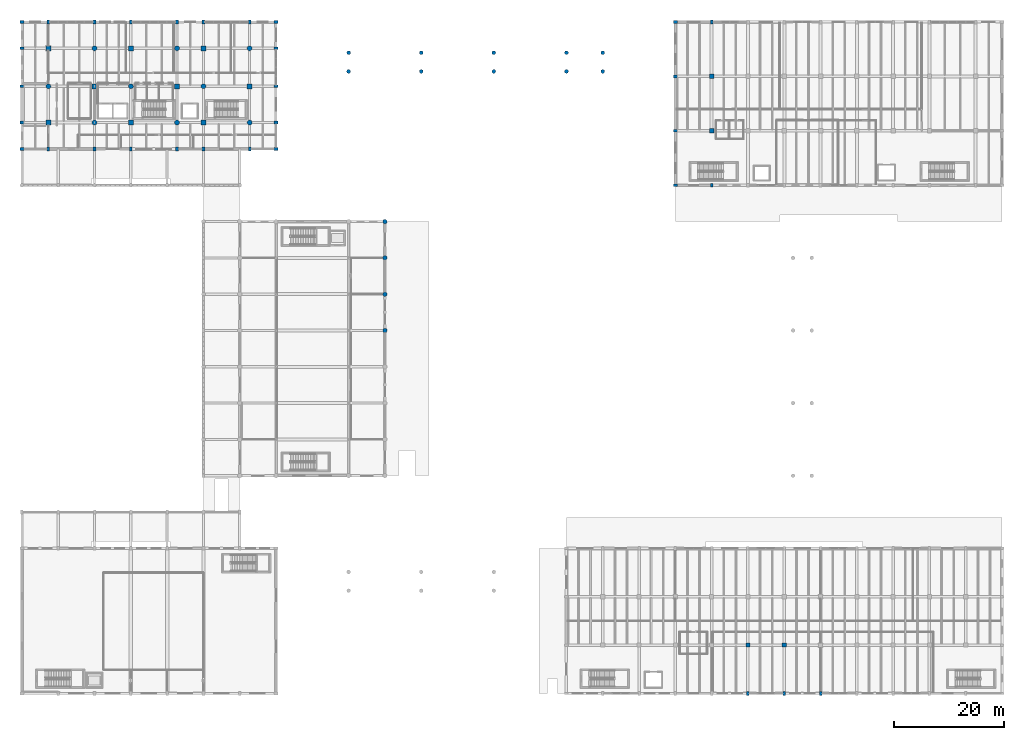
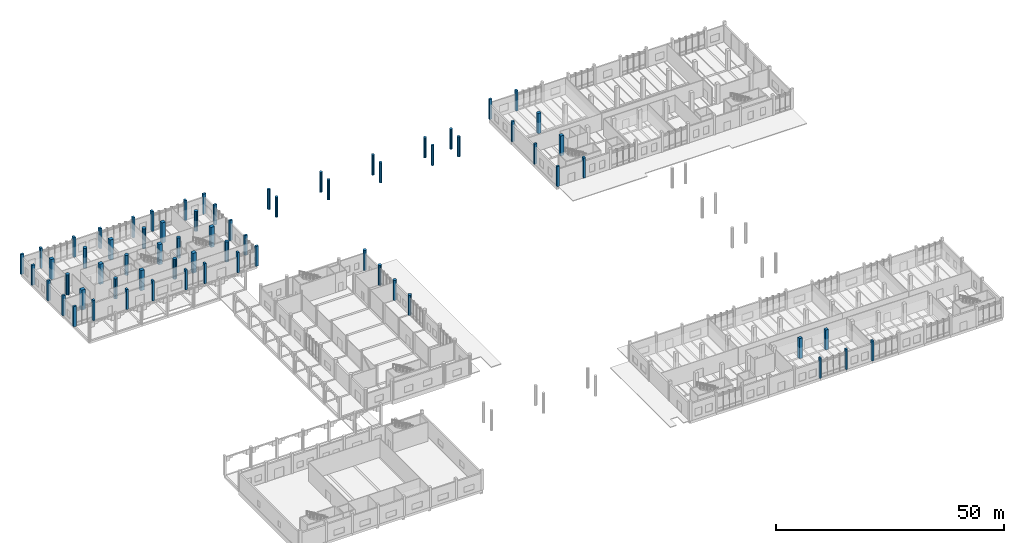
# One storey, part 5 of 72: 67 columns.
"""IFC4 building model written with IfcOpenShell, lengths in metres."""

from ifc_helpers import new_model, si_unit, direction, frame, origin, origin_2d, place, context, subcontext, project, spatial, rectangle, circle, extrude, material, material_profile, profile_set, type_object, element, save


model = new_model("IFC4")

# Units and contexts
model_context = context("Model", 3, precision=1e-05, world=origin(), true_north=direction((0.0, 1.0)))
body_context = subcontext(model_context, "Body", "Model", "MODEL_VIEW")
ifc_project = project(units=[si_unit("LENGTHUNIT", "METRE"), si_unit("AREAUNIT", "SQUARE_METRE"), si_unit("VOLUMEUNIT", "CUBIC_METRE"), si_unit("PLANEANGLEUNIT", "RADIAN"), si_unit("MASSUNIT", "GRAM", prefix="KILO")], contexts=[model_context])

# Site, building, storey
site_placement = place(None, origin())
site = spatial("IfcSite", under=ifc_project, at=site_placement, CompositionType="ELEMENT")
building_placement = place(site_placement, origin())
building = spatial("IfcBuilding", under=site, at=building_placement, Name="Dornvale Research Institute", CompositionType="ELEMENT")
storey_placement = place(building_placement, origin())
storey = spatial("IfcBuildingStorey", under=building, at=storey_placement, Name="L00", CompositionType="ELEMENT", Elevation=0.0)

# Columns
ifc_material_1 = material(Name="Concrete f'c 50 MPa (C40/50)", Category="concrete")
ifc_material_profile_1 = material_profile(ifc_material_1, rectangle(XDim=0.75, YDim=0.75, at=origin_2d()), Name="RC 750x750")
ifc_profile_set_1 = profile_set([ifc_material_profile_1], Name="Concrete f'c 50 MPa (C40/50)")
column_type_1 = type_object("IfcColumnType", Name="Column_RC750", PredefinedType="COLUMN", material=ifc_profile_set_1)
for number, where, z_axis, x_axis, name in (
    (1, (132.0, 8.800048828125, 0.0), (0.0, 0.0, 1.0), (1.0, 0.0, 0.0), "L00 column #799"),
    (2, (138.60009765625, 8.800048828125, 0.0), (0.0, 0.0, 1.0), (1.0, 0.0, 0.0), "L00 column #803"),
):
    element("IfcColumn", number, at=place(storey_placement, frame(where, z_axis=z_axis, x_axis=x_axis)), inside=storey, type_object=column_type_1, Name=name, PredefinedType="COLUMN", context=body_context, shape_type="SweptSolid", body=[
        extrude(rectangle(XDim=0.75, YDim=0.75, at=origin_2d()), origin(), (0.0, 0.0, 1.0), 5.39990234375),
    ])
ifc_material_2 = material(Name="Concrete f'c 50 MPa (C40/50)", Category="concrete")
ifc_material_profile_2 = material_profile(ifc_material_2, rectangle(XDim=0.800048828125, YDim=0.800048828125, at=origin_2d()), Name="RC 800x800")
ifc_profile_set_2 = profile_set([ifc_material_profile_2], Name="Concrete f'c 50 MPa (C40/50)")
column_type_2 = type_object("IfcColumnType", Name="Column_RC800", PredefinedType="COLUMN", material=ifc_profile_set_2)
for number, where, z_axis, x_axis, name in (
    (3, (125.39990234375, 102.300048828125, 0.0), (0.0, 0.0, 1.0), (1.0, 0.0, 0.0), "L00 column #459"),
    (4, (125.39990234375, 112.199951171875, 0.0), (0.0, 0.0, 1.0), (1.0, 0.0, 0.0), "L00 column #460"),
):
    element("IfcColumn", number, at=place(storey_placement, frame(where, z_axis=z_axis, x_axis=x_axis)), inside=storey, type_object=column_type_2, Name=name, PredefinedType="COLUMN", context=body_context, shape_type="SweptSolid", body=[
        extrude(rectangle(XDim=0.800048828125, YDim=0.800048828125, at=origin_2d()), origin(), (0.0, 0.0, 1.0), 5.39990234375),
    ])
ifc_material_3 = material(Name="Concrete f'c 50 MPa (C40/50)", Category="concrete")
ifc_material_profile_3 = material_profile(ifc_material_3, rectangle(XDim=0.89990234375, YDim=0.89990234375, at=origin_2d()), Name="RC 900x900")
ifc_profile_set_3 = profile_set([ifc_material_profile_3], Name="Concrete f'c 50 MPa (C40/50)")
column_type_3 = type_object("IfcColumnType", Name="Column_RC900", PredefinedType="COLUMN", material=ifc_profile_set_3)
for number, where, z_axis, x_axis, name in (
    (5, (4.800048828125, 103.800048828125, 0.0), (0.0, 0.0, 1.0), (1.0, 0.0, 0.0), "L00 column #47"),
    (6, (4.800048828125, 117.300048828125, 0.0), (0.0, 0.0, 1.0), (1.0, 0.0, 0.0), "L00 column #49"),
    (7, (13.199951171875, 110.39990234375, 0.0), (0.0, 0.0, 1.0), (1.0, 0.0, 0.0), "L00 column #53"),
    (8, (19.800048828125, 103.800048828125, 0.0), (0.0, 0.0, 1.0), (1.0, 0.0, 0.0), "L00 column #57"),
    (9, (19.800048828125, 117.300048828125, 0.0), (0.0, 0.0, 1.0), (1.0, 0.0, 0.0), "L00 column #59"),
    (10, (28.199951171875, 110.39990234375, 0.0), (0.0, 0.0, 1.0), (1.0, 0.0, 0.0), "L00 column #63"),
    (11, (33.0, 103.800048828125, 0.0), (0.0, 0.0, 1.0), (1.0, 0.0, 0.0), "L00 column #67"),
    (12, (33.0, 117.300048828125, 0.0), (0.0, 0.0, 1.0), (1.0, 0.0, 0.0), "L00 column #69"),
    (13, (41.39990234375, 110.39990234375, 0.0), (0.0, 0.0, 1.0), (1.0, 0.0, 0.0), "L00 column #73"),
):
    element("IfcColumn", number, at=place(storey_placement, frame(where, z_axis=z_axis, x_axis=x_axis)), inside=storey, type_object=column_type_3, Name=name, PredefinedType="COLUMN", context=body_context, shape_type="SweptSolid", body=[
        extrude(rectangle(XDim=0.89990234375, YDim=0.89990234375, at=origin_2d()), origin(), (0.0, 0.0, 1.0), 5.39990234375),
    ])
ifc_material_4 = material(Name="Concrete f'c 45 MPa (C35/45)", Category="concrete")
ifc_material_profile_4 = material_profile(ifc_material_4, circle(Radius=0.39990234375, at=origin_2d()), Name="RC DIA 800")
ifc_profile_set_4 = profile_set([ifc_material_profile_4], Name="Concrete f'c 45 MPa (C35/45)")
column_type_4 = type_object("IfcColumnType", Name="Column_RCDia800_Ext", PredefinedType="COLUMN", material=ifc_profile_set_4)
for number, where, z_axis, x_axis, name in (
    (14, (66.0, 66.0, 0.0), (0.0, 0.0, 1.0), (1.0, 0.0, 0.0), "L00 column #1046"),
    (15, (66.0, 72.60009765625, 0.0), (0.0, 0.0, 1.0), (1.0, 0.0, 0.0), "L00 column #1047"),
    (16, (66.0, 79.199951171875, 0.0), (0.0, 0.0, 1.0), (1.0, 0.0, 0.0), "L00 column #1048"),
    (17, (66.0, 85.800048828125, 0.0), (0.0, 0.0, 1.0), (1.0, 0.0, 0.0), "L00 column #1049"),
):
    element("IfcColumn", number, at=place(storey_placement, frame(where, z_axis=z_axis, x_axis=x_axis)), inside=storey, type_object=column_type_4, Name=name, PredefinedType="COLUMN", context=body_context, shape_type="SweptSolid", body=[
        extrude(circle(Radius=0.39990234375, at=origin_2d()), origin(), (0.0, 0.0, 1.0), 5.39990234375),
    ])
ifc_material_5 = material(Name="Concrete f'c 50 MPa (C40/50)", Category="concrete")
ifc_material_profile_5 = material_profile(ifc_material_5, circle(Radius=0.449951171875, at=origin_2d()), Name="RC DIA 900")
ifc_profile_set_5 = profile_set([ifc_material_profile_5], Name="Concrete f'c 50 MPa (C40/50)")
column_type_5 = type_object("IfcColumnType", Name="Column_RCDia900", PredefinedType="COLUMN", material=ifc_profile_set_5)
for number, where, z_axis, x_axis, name in (
    (18, (4.800048828125, 110.39990234375, 0.0), (0.0, 0.0, 1.0), (1.0, 0.0, 0.0), "L00 column #48"),
    (19, (13.199951171875, 103.800048828125, 0.0), (0.0, 0.0, 1.0), (1.0, 0.0, 0.0), "L00 column #52"),
    (20, (13.199951171875, 117.300048828125, 0.0), (0.0, 0.0, 1.0), (1.0, 0.0, 0.0), "L00 column #54"),
    (21, (19.800048828125, 110.39990234375, 0.0), (0.0, 0.0, 1.0), (1.0, 0.0, 0.0), "L00 column #58"),
    (22, (28.199951171875, 103.800048828125, 0.0), (0.0, 0.0, 1.0), (1.0, 0.0, 0.0), "L00 column #62"),
    (23, (28.199951171875, 117.300048828125, 0.0), (0.0, 0.0, 1.0), (1.0, 0.0, 0.0), "L00 column #64"),
    (24, (33.0, 110.39990234375, 0.0), (0.0, 0.0, 1.0), (1.0, 0.0, 0.0), "L00 column #68"),
    (25, (41.39990234375, 103.800048828125, 0.0), (0.0, 0.0, 1.0), (1.0, 0.0, 0.0), "L00 column #72"),
    (26, (41.39990234375, 117.300048828125, 0.0), (0.0, 0.0, 1.0), (1.0, 0.0, 0.0), "L00 column #74"),
):
    element("IfcColumn", number, at=place(storey_placement, frame(where, z_axis=z_axis, x_axis=x_axis)), inside=storey, type_object=column_type_5, Name=name, PredefinedType="COLUMN", context=body_context, shape_type="SweptSolid", body=[
        extrude(circle(Radius=0.449951171875, at=origin_2d()), origin(), (0.0, 0.0, 1.0), 5.39990234375),
    ])
ifc_material_6 = material(Name="Concrete f'c 45 MPa (C35/45)", Category="concrete")
ifc_material_profile_6 = material_profile(ifc_material_6, rectangle(XDim=0.449951171875, YDim=0.64990234375, at=origin_2d()), Name="RC 450x650")
ifc_profile_set_6 = profile_set([ifc_material_profile_6], Name="Concrete f'c 45 MPa (C35/45)")
column_type_6 = type_object("IfcColumnType", Name="Pilaster_RC450x650_Ext", PredefinedType="PILASTER", material=ifc_profile_set_6)
for number, where, z_axis, x_axis, name in (
    (27, (132.0, 0.0, 0.0), (0.0, 0.0, 1.0), (1.0, 0.0, 0.0), "L00 column #798"),
    (28, (138.60009765625, 0.0, 0.0), (0.0, 0.0, 1.0), (1.0, 0.0, 0.0), "L00 column #802"),
    (29, (145.199951171875, 0.0, 0.0), (0.0, 0.0, 1.0), (1.0, 0.0, 0.0), "L00 column #806"),
):
    element("IfcColumn", number, at=place(storey_placement, frame(where, z_axis=z_axis, x_axis=x_axis)), inside=storey, type_object=column_type_6, Name=name, PredefinedType="PILASTER", context=body_context, shape_type="SweptSolid", body=[
        extrude(rectangle(XDim=0.449951171875, YDim=0.64990234375, at=origin_2d()), origin(), (0.0, 0.0, 1.0), 5.39990234375),
    ])
ifc_material_7 = material(Name="Concrete f'c 50 MPa (C40/50)", Category="concrete")
ifc_material_profile_7 = material_profile(ifc_material_7, rectangle(XDim=0.5, YDim=0.699951171875, at=origin_2d()), Name="RC 500x700")
ifc_profile_set_7 = profile_set([ifc_material_profile_7], Name="Concrete f'c 50 MPa (C40/50)")
column_type_7 = type_object("IfcColumnType", Name="Pilaster_RC500x700_Ext", PredefinedType="PILASTER", material=ifc_profile_set_7)
for number, where, z_axis, x_axis, name in (
    (30, (0.0, 99.0, 0.0), (0.0, 0.0, 1.0), (0.0, 1.0, 0.0), "L00 column #41"),
    (31, (0.0, 103.800048828125, 0.0), (0.0, 0.0, 1.0), (0.0, 1.0, 0.0), "L00 column #42"),
    (32, (0.0, 110.39990234375, 0.0), (0.0, 0.0, 1.0), (0.0, 1.0, 0.0), "L00 column #43"),
    (33, (0.0, 117.300048828125, 0.0), (0.0, 0.0, 1.0), (0.0, 1.0, 0.0), "L00 column #44"),
    (34, (0.0, 122.10009765625, 0.0), (0.0, 0.0, 1.0), (0.0, 1.0, 0.0), "L00 column #45"),
    (35, (4.800048828125, 99.0, 0.0), (0.0, 0.0, 1.0), (1.0, 0.0, 0.0), "L00 column #46"),
    (36, (4.800048828125, 122.10009765625, 0.0), (0.0, 0.0, 1.0), (1.0, 0.0, 0.0), "L00 column #50"),
    (37, (13.199951171875, 99.0, 0.0), (0.0, 0.0, 1.0), (1.0, 0.0, 0.0), "L00 column #51"),
    (38, (13.199951171875, 122.10009765625, 0.0), (0.0, 0.0, 1.0), (1.0, 0.0, 0.0), "L00 column #55"),
    (39, (19.800048828125, 99.0, 0.0), (0.0, 0.0, 1.0), (1.0, 0.0, 0.0), "L00 column #56"),
    (40, (19.800048828125, 122.10009765625, 0.0), (0.0, 0.0, 1.0), (1.0, 0.0, 0.0), "L00 column #60"),
    (41, (28.199951171875, 99.0, 0.0), (0.0, 0.0, 1.0), (1.0, 0.0, 0.0), "L00 column #61"),
    (42, (28.199951171875, 122.10009765625, 0.0), (0.0, 0.0, 1.0), (1.0, 0.0, 0.0), "L00 column #65"),
    (43, (33.0, 99.0, 0.0), (0.0, 0.0, 1.0), (1.0, 0.0, 0.0), "L00 column #66"),
    (44, (33.0, 122.10009765625, 0.0), (0.0, 0.0, 1.0), (1.0, 0.0, 0.0), "L00 column #70"),
    (45, (41.39990234375, 99.0, 0.0), (0.0, 0.0, 1.0), (1.0, 0.0, 0.0), "L00 column #71"),
    (46, (41.39990234375, 122.10009765625, 0.0), (0.0, 0.0, 1.0), (1.0, 0.0, 0.0), "L00 column #75"),
    (47, (46.199951171875, 99.0, 0.0), (0.0, 0.0, 1.0), (0.0, 1.0, 0.0), "L00 column #76"),
    (48, (46.199951171875, 103.800048828125, 0.0), (0.0, 0.0, 1.0), (0.0, 1.0, 0.0), "L00 column #77"),
    (49, (46.199951171875, 110.39990234375, 0.0), (0.0, 0.0, 1.0), (0.0, 1.0, 0.0), "L00 column #78"),
    (50, (46.199951171875, 117.300048828125, 0.0), (0.0, 0.0, 1.0), (0.0, 1.0, 0.0), "L00 column #79"),
    (51, (46.199951171875, 122.10009765625, 0.0), (0.0, 0.0, 1.0), (0.0, 1.0, 0.0), "L00 column #80"),
    (52, (118.800048828125, 92.39990234375, 0.0), (0.0, 0.0, 1.0), (0.0, 1.0, 0.0), "L00 column #454"),
    (53, (118.800048828125, 102.300048828125, 0.0), (0.0, 0.0, 1.0), (0.0, 1.0, 0.0), "L00 column #455"),
    (54, (118.800048828125, 112.199951171875, 0.0), (0.0, 0.0, 1.0), (0.0, 1.0, 0.0), "L00 column #456"),
    (55, (118.800048828125, 122.10009765625, 0.0), (0.0, 0.0, 1.0), (0.0, 1.0, 0.0), "L00 column #457"),
    (56, (125.39990234375, 92.39990234375, 0.0), (0.0, 0.0, 1.0), (1.0, 0.0, 0.0), "L00 column #458"),
    (57, (125.39990234375, 122.10009765625, 0.0), (0.0, 0.0, 1.0), (1.0, 0.0, 0.0), "L00 column #461"),
):
    element("IfcColumn", number, at=place(storey_placement, frame(where, z_axis=z_axis, x_axis=x_axis)), inside=storey, type_object=column_type_7, Name=name, PredefinedType="PILASTER", context=body_context, shape_type="SweptSolid", body=[
        extrude(rectangle(XDim=0.5, YDim=0.699951171875, at=origin_2d()), origin(), (0.0, 0.0, 1.0), 5.39990234375),
    ])
ifc_material_8 = material(Name="Concrete f'c 45 MPa (C35/45)", Category="concrete")
ifc_material_profile_8 = material_profile(ifc_material_8, circle(Radius=0.35009765625, at=origin_2d()), Name="RC DIA 700")
ifc_profile_set_8 = profile_set([ifc_material_profile_8], Name="Concrete f'c 45 MPa (C35/45)")
column_type_8 = type_object("IfcColumnType", Name="Pilaster_RCDia700_Arcade", PredefinedType="PILASTER", material=ifc_profile_set_8)
for number, where, z_axis, x_axis, name in (
    (58, (59.39990234375, 113.10009765625, 0.0), (0.0, 0.0, 1.0), (1.0, 0.0, 0.0), "L00 cloister link bridge pier #2"),
    (59, (72.60009765625, 113.10009765625, 0.0), (0.0, 0.0, 1.0), (1.0, 0.0, 0.0), "L00 cloister link bridge pier #5"),
    (60, (85.800048828125, 113.10009765625, 0.0), (0.0, 0.0, 1.0), (1.0, 0.0, 0.0), "L00 cloister link bridge pier #8"),
    (61, (99.0, 113.10009765625, 0.0), (0.0, 0.0, 1.0), (1.0, 0.0, 0.0), "L00 cloister link bridge pier #11"),
    (62, (105.60009765625, 113.10009765625, 0.0), (0.0, 0.0, 1.0), (1.0, 0.0, 0.0), "L00 cloister link bridge pier #14"),
    (63, (59.39990234375, 116.5, 0.0), (0.0, 0.0, 1.0), (1.0, 0.0, 0.0), "L00 cloister link bridge pier #17"),
    (64, (72.60009765625, 116.5, 0.0), (0.0, 0.0, 1.0), (1.0, 0.0, 0.0), "L00 cloister link bridge pier #20"),
    (65, (85.800048828125, 116.5, 0.0), (0.0, 0.0, 1.0), (1.0, 0.0, 0.0), "L00 cloister link bridge pier #23"),
    (66, (99.0, 116.5, 0.0), (0.0, 0.0, 1.0), (1.0, 0.0, 0.0), "L00 cloister link bridge pier #26"),
    (67, (105.60009765625, 116.5, 0.0), (0.0, 0.0, 1.0), (1.0, 0.0, 0.0), "L00 cloister link bridge pier #29"),
):
    element("IfcColumn", number, at=place(storey_placement, frame(where, z_axis=z_axis, x_axis=x_axis)), inside=storey, type_object=column_type_8, Name=name, PredefinedType="PILASTER", context=body_context, shape_type="SweptSolid", body=[
        extrude(circle(Radius=0.35009765625, at=origin_2d()), origin(), (0.0, 0.0, 1.0), 5.39990234375),
    ])

save(model, "model.ifc")
